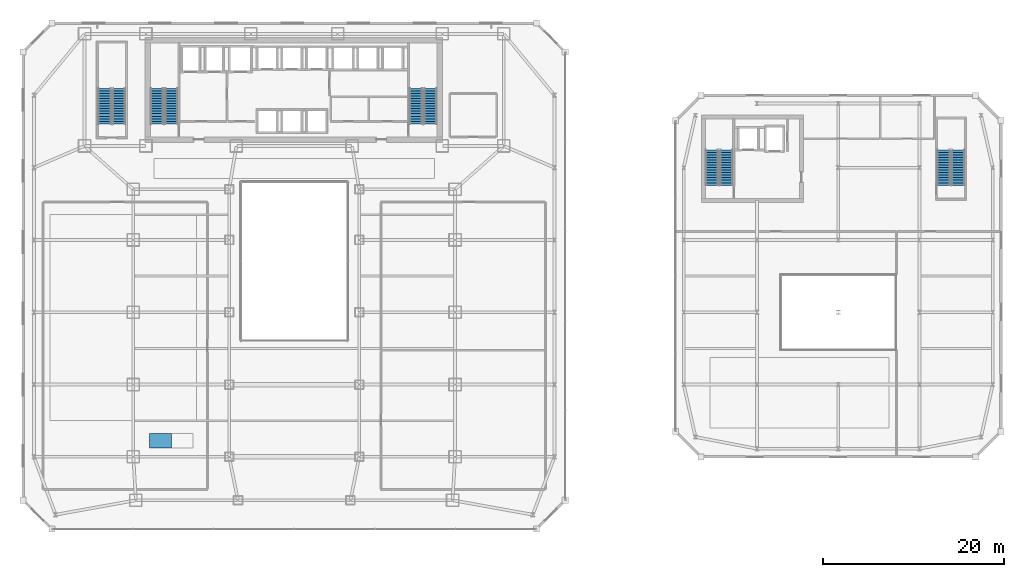
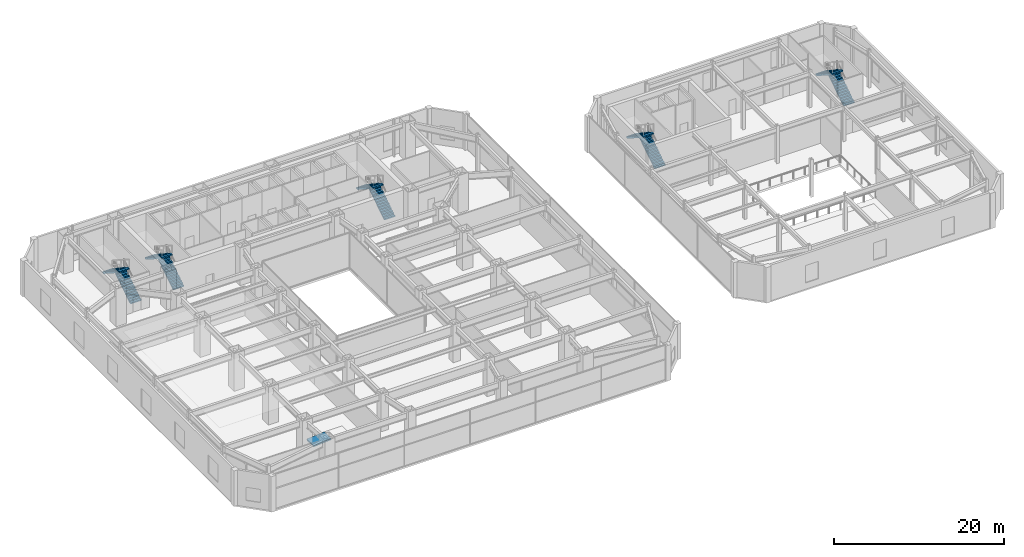
# One storey, part 44 of 52: 10 stair flights, 1 ramp flight, 6 elements without a shape of their own.
"""IFC4 building model written with IfcOpenShell, lengths in metres."""

from ifc_helpers import new_model, si_unit, direction, frame, origin, place, context, subcontext, project, spatial, polyline, outline, extrude, material, layer, layer_set, type_object, element, aggregate, save


model = new_model("IFC4")

# Units and contexts
model_context = context("Model", 3, precision=1e-05, world=origin(), true_north=direction((0.0, 1.0)))
body_context = subcontext(model_context, "Body", "Model", "MODEL_VIEW")
ifc_project = project(units=[si_unit("LENGTHUNIT", "METRE"), si_unit("AREAUNIT", "SQUARE_METRE"), si_unit("VOLUMEUNIT", "CUBIC_METRE"), si_unit("PLANEANGLEUNIT", "RADIAN"), si_unit("MASSUNIT", "GRAM", prefix="KILO")], contexts=[model_context])

# Site, building, storey
site_placement = place(None, origin())
site = spatial("IfcSite", under=ifc_project, at=site_placement, CompositionType="ELEMENT")
building_placement = place(site_placement, origin())
building = spatial("IfcBuilding", under=site, at=building_placement, Name="Saevonmaru Cultural Tower", CompositionType="ELEMENT")
storey_placement = place(building_placement, frame((0.0, 0.0, 11.39990234375)))
storey = spatial("IfcBuildingStorey", under=building, at=storey_placement, Name="L02", CompositionType="ELEMENT", Elevation=11.39990234375)

# Stair, stair flights
ifc_material_1 = material(Name="Concrete C40/50", Category="concrete")
stair_type = type_object("IfcStairType", Name="STR-DOGLEG-RC", PredefinedType="HALF_TURN_STAIR", material=ifc_material_1)
stair_1_placement = place(storey_placement, origin())
stair_1 = element("IfcStair", 1, at=stair_1_placement, inside=storey, type_object=stair_type, Name="L02 Protected exit stair LST-1", PredefinedType="HALF_TURN_STAIR")
ifc_material_2 = material(Name="Precast concrete C40/50", Category="concrete")
stair_flight_type = type_object("IfcStairFlightType", Name="STF-PRECAST-180", PredefinedType="STRAIGHT", material=ifc_material_2)
stair_flight_1_placement = place(storey_placement, frame((77.824951171875, 38.050048828125, 0.0), z_axis=(0.0, 0.0, 1.0), x_axis=(0.0, 1.0, 0.0)))
stair_flight_1 = element("IfcStairFlight", 2, at=stair_flight_1_placement, type_object=stair_flight_type, Name="LST-1-L02 flight 1", NumberOfRisers=15, NumberOfTreads=14, PredefinedType="STRAIGHT", RiserHeight=0.18, TreadLength=0.28, context=body_context, shape_type="SweptSolid", body=[
    extrude(outline(polyline([(0.0, 0.0), (0.0, 0.179931640625), (0.280029296875, 0.179931640625), (0.280029296875, 0.360107421875), (0.56005859375, 0.360107421875), (0.56005859375, 0.5400390625), (0.840087890625, 0.5400390625), (0.840087890625, 0.719970703125), (1.1201171875, 0.719970703125), (1.1201171875, 0.89990234375), (1.39990234375, 0.89990234375), (1.39990234375, 1.080078125), (1.679931640625, 1.080078125), (1.679931640625, 1.260009765625), (1.9599609375, 1.260009765625), (1.9599609375, 1.43994140625), (2.239990234375, 1.43994140625), (2.239990234375, 1.6201171875), (2.52001953125, 1.6201171875), (2.52001953125, 1.800048828125), (2.800048828125, 1.800048828125), (2.800048828125, 1.97998046875), (3.080078125, 1.97998046875), (3.080078125, 2.159912109375), (3.360107421875, 2.159912109375), (3.360107421875, 2.340087890625), (3.639892578125, 2.340087890625), (3.639892578125, 2.52001953125), (3.919921875, 2.52001953125), (3.919921875, 2.699951171875), (3.919921875, 2.341796875), (0.277099609375, 0.0), (0.0, 0.0)])), frame((0.0, 0.72509765625, 0.0), z_axis=(0.0, -1.0, 0.0), x_axis=(1.0, 0.0, 0.0)), (0.0, 0.0, 1.0), 1.449951171875),
])
stair_flight_2_placement = place(storey_placement, frame((76.22509765625, 41.969970703125, 2.7001953125), z_axis=(0.0, 0.0, 1.0), x_axis=(0.0, -1.0, 0.0)))
stair_flight_2 = element("IfcStairFlight", 3, at=stair_flight_2_placement, type_object=stair_flight_type, Name="LST-1-L02 flight 2", NumberOfRisers=15, NumberOfTreads=14, PredefinedType="STRAIGHT", RiserHeight=0.18, TreadLength=0.28, context=body_context, shape_type="SweptSolid", body=[
    extrude(outline(polyline([(0.0, 0.0), (0.0, 0.179931640625), (0.280029296875, 0.179931640625), (0.280029296875, 0.360107421875), (0.56005859375, 0.360107421875), (0.56005859375, 0.5400390625), (0.840087890625, 0.5400390625), (0.840087890625, 0.719970703125), (1.1201171875, 0.719970703125), (1.1201171875, 0.89990234375), (1.39990234375, 0.89990234375), (1.39990234375, 1.080078125), (1.679931640625, 1.080078125), (1.679931640625, 1.260009765625), (1.9599609375, 1.260009765625), (1.9599609375, 1.43994140625), (2.239990234375, 1.43994140625), (2.239990234375, 1.6201171875), (2.52001953125, 1.6201171875), (2.52001953125, 1.800048828125), (2.800048828125, 1.800048828125), (2.800048828125, 1.97998046875), (3.080078125, 1.97998046875), (3.080078125, 2.159912109375), (3.360107421875, 2.159912109375), (3.360107421875, 2.340087890625), (3.639892578125, 2.340087890625), (3.639892578125, 2.52001953125), (3.919921875, 2.52001953125), (3.919921875, 2.699951171875), (3.919921875, 2.341796875), (0.277099609375, 0.0), (0.0, 0.0)])), frame((0.0, 0.72509765625, 0.0), z_axis=(0.0, -1.0, 0.0), x_axis=(1.0, 0.0, 0.0)), (0.0, 0.0, 1.0), 1.449951171875),
])
aggregate(stair_1, [stair_flight_1, stair_flight_2])

stair_2_placement = place(storey_placement, origin())
stair_2 = element("IfcStair", 4, at=stair_2_placement, inside=storey, type_object=stair_type, Name="L02 Protected exit stair LST-2", PredefinedType="HALF_TURN_STAIR")
stair_flight_3_placement = place(storey_placement, frame((103.47509765625, 38.050048828125, 0.0), z_axis=(0.0, 0.0, 1.0), x_axis=(0.0, 1.0, 0.0)))
stair_flight_3 = element("IfcStairFlight", 5, at=stair_flight_3_placement, type_object=stair_flight_type, Name="LST-2-L02 flight 1", NumberOfRisers=15, NumberOfTreads=14, PredefinedType="STRAIGHT", RiserHeight=0.18, TreadLength=0.28, context=body_context, shape_type="SweptSolid", body=[
    extrude(outline(polyline([(0.0, 0.0), (0.0, 0.179931640625), (0.280029296875, 0.179931640625), (0.280029296875, 0.360107421875), (0.56005859375, 0.360107421875), (0.56005859375, 0.5400390625), (0.840087890625, 0.5400390625), (0.840087890625, 0.719970703125), (1.1201171875, 0.719970703125), (1.1201171875, 0.89990234375), (1.39990234375, 0.89990234375), (1.39990234375, 1.080078125), (1.679931640625, 1.080078125), (1.679931640625, 1.260009765625), (1.9599609375, 1.260009765625), (1.9599609375, 1.43994140625), (2.239990234375, 1.43994140625), (2.239990234375, 1.6201171875), (2.52001953125, 1.6201171875), (2.52001953125, 1.800048828125), (2.800048828125, 1.800048828125), (2.800048828125, 1.97998046875), (3.080078125, 1.97998046875), (3.080078125, 2.159912109375), (3.360107421875, 2.159912109375), (3.360107421875, 2.340087890625), (3.639892578125, 2.340087890625), (3.639892578125, 2.52001953125), (3.919921875, 2.52001953125), (3.919921875, 2.699951171875), (3.919921875, 2.341796875), (0.277099609375, 0.0), (0.0, 0.0)])), frame((0.0, 0.72509765625, 0.0), z_axis=(0.0, -1.0, 0.0), x_axis=(1.0, 0.0, 0.0)), (0.0, 0.0, 1.0), 1.449951171875),
])
stair_flight_4_placement = place(storey_placement, frame((101.875, 41.969970703125, 2.7001953125), z_axis=(0.0, 0.0, 1.0), x_axis=(0.0, -1.0, 0.0)))
stair_flight_4 = element("IfcStairFlight", 6, at=stair_flight_4_placement, type_object=stair_flight_type, Name="LST-2-L02 flight 2", NumberOfRisers=15, NumberOfTreads=14, PredefinedType="STRAIGHT", RiserHeight=0.18, TreadLength=0.28, context=body_context, shape_type="SweptSolid", body=[
    extrude(outline(polyline([(0.0, 0.0), (0.0, 0.179931640625), (0.280029296875, 0.179931640625), (0.280029296875, 0.360107421875), (0.56005859375, 0.360107421875), (0.56005859375, 0.5400390625), (0.840087890625, 0.5400390625), (0.840087890625, 0.719970703125), (1.1201171875, 0.719970703125), (1.1201171875, 0.89990234375), (1.39990234375, 0.89990234375), (1.39990234375, 1.080078125), (1.679931640625, 1.080078125), (1.679931640625, 1.260009765625), (1.9599609375, 1.260009765625), (1.9599609375, 1.43994140625), (2.239990234375, 1.43994140625), (2.239990234375, 1.6201171875), (2.52001953125, 1.6201171875), (2.52001953125, 1.800048828125), (2.800048828125, 1.800048828125), (2.800048828125, 1.97998046875), (3.080078125, 1.97998046875), (3.080078125, 2.159912109375), (3.360107421875, 2.159912109375), (3.360107421875, 2.340087890625), (3.639892578125, 2.340087890625), (3.639892578125, 2.52001953125), (3.919921875, 2.52001953125), (3.919921875, 2.699951171875), (3.919921875, 2.341796875), (0.277099609375, 0.0), (0.0, 0.0)])), frame((0.0, 0.72509765625, 0.0), z_axis=(0.0, -1.0, 0.0), x_axis=(1.0, 0.0, 0.0)), (0.0, 0.0, 1.0), 1.449951171875),
])
aggregate(stair_2, [stair_flight_3, stair_flight_4])

stair_3_placement = place(storey_placement, origin())
stair_3 = element("IfcStair", 7, at=stair_3_placement, inside=storey, type_object=stair_type, Name="L02 Protected exit stair ST-1", PredefinedType="HALF_TURN_STAIR")
stair_flight_5_placement = place(storey_placement, frame((16.425048828125, 44.85009765625, 0.0), z_axis=(0.0, 0.0, 1.0), x_axis=(0.0, 1.0, 0.0)))
stair_flight_5 = element("IfcStairFlight", 8, at=stair_flight_5_placement, type_object=stair_flight_type, Name="ST-1-L02 flight 1", NumberOfRisers=15, NumberOfTreads=14, PredefinedType="STRAIGHT", RiserHeight=0.18, TreadLength=0.28, context=body_context, shape_type="SweptSolid", body=[
    extrude(outline(polyline([(0.0, 0.0), (0.0, 0.179931640625), (0.280029296875, 0.179931640625), (0.280029296875, 0.360107421875), (0.56005859375, 0.360107421875), (0.56005859375, 0.5400390625), (0.840087890625, 0.5400390625), (0.840087890625, 0.719970703125), (1.1201171875, 0.719970703125), (1.1201171875, 0.89990234375), (1.39990234375, 0.89990234375), (1.39990234375, 1.080078125), (1.679931640625, 1.080078125), (1.679931640625, 1.260009765625), (1.9599609375, 1.260009765625), (1.9599609375, 1.43994140625), (2.239990234375, 1.43994140625), (2.239990234375, 1.6201171875), (2.52001953125, 1.6201171875), (2.52001953125, 1.800048828125), (2.800048828125, 1.800048828125), (2.800048828125, 1.97998046875), (3.080078125, 1.97998046875), (3.080078125, 2.159912109375), (3.360107421875, 2.159912109375), (3.360107421875, 2.340087890625), (3.639892578125, 2.340087890625), (3.639892578125, 2.52001953125), (3.919921875, 2.52001953125), (3.919921875, 2.699951171875), (3.919921875, 2.341796875), (0.277099609375, 0.0), (0.0, 0.0)])), frame((0.0, 0.72509765625, 0.0), z_axis=(0.0, -1.0, 0.0), x_axis=(1.0, 0.0, 0.0)), (0.0, 0.0, 1.0), 1.449951171875),
])
stair_flight_6_placement = place(storey_placement, frame((14.824951171875, 48.77001953125, 2.7001953125), z_axis=(0.0, 0.0, 1.0), x_axis=(0.0, -1.0, 0.0)))
stair_flight_6 = element("IfcStairFlight", 9, at=stair_flight_6_placement, type_object=stair_flight_type, Name="ST-1-L02 flight 2", NumberOfRisers=15, NumberOfTreads=14, PredefinedType="STRAIGHT", RiserHeight=0.18, TreadLength=0.28, context=body_context, shape_type="SweptSolid", body=[
    extrude(outline(polyline([(0.0, 0.0), (0.0, 0.179931640625), (0.280029296875, 0.179931640625), (0.280029296875, 0.360107421875), (0.56005859375, 0.360107421875), (0.56005859375, 0.5400390625), (0.840087890625, 0.5400390625), (0.840087890625, 0.719970703125), (1.1201171875, 0.719970703125), (1.1201171875, 0.89990234375), (1.39990234375, 0.89990234375), (1.39990234375, 1.080078125), (1.679931640625, 1.080078125), (1.679931640625, 1.260009765625), (1.9599609375, 1.260009765625), (1.9599609375, 1.43994140625), (2.239990234375, 1.43994140625), (2.239990234375, 1.6201171875), (2.52001953125, 1.6201171875), (2.52001953125, 1.800048828125), (2.800048828125, 1.800048828125), (2.800048828125, 1.97998046875), (3.080078125, 1.97998046875), (3.080078125, 2.159912109375), (3.360107421875, 2.159912109375), (3.360107421875, 2.340087890625), (3.639892578125, 2.340087890625), (3.639892578125, 2.52001953125), (3.919921875, 2.52001953125), (3.919921875, 2.699951171875), (3.919921875, 2.341796875), (0.277099609375, 0.0), (0.0, 0.0)])), frame((0.0, 0.72509765625, 0.0), z_axis=(0.0, -1.0, 0.0), x_axis=(1.0, 0.0, 0.0)), (0.0, 0.0, 1.0), 1.449951171875),
])
aggregate(stair_3, [stair_flight_5, stair_flight_6])

stair_4_placement = place(storey_placement, origin())
stair_4 = element("IfcStair", 10, at=stair_4_placement, inside=storey, type_object=stair_type, Name="L02 Protected exit stair ST-2", PredefinedType="HALF_TURN_STAIR")
stair_flight_7_placement = place(storey_placement, frame((45.074951171875, 44.85009765625, 0.0), z_axis=(0.0, 0.0, 1.0), x_axis=(0.0, 1.0, 0.0)))
stair_flight_7 = element("IfcStairFlight", 11, at=stair_flight_7_placement, type_object=stair_flight_type, Name="ST-2-L02 flight 1", NumberOfRisers=15, NumberOfTreads=14, PredefinedType="STRAIGHT", RiserHeight=0.18, TreadLength=0.28, context=body_context, shape_type="SweptSolid", body=[
    extrude(outline(polyline([(0.0, 0.0), (0.0, 0.179931640625), (0.280029296875, 0.179931640625), (0.280029296875, 0.360107421875), (0.56005859375, 0.360107421875), (0.56005859375, 0.5400390625), (0.840087890625, 0.5400390625), (0.840087890625, 0.719970703125), (1.1201171875, 0.719970703125), (1.1201171875, 0.89990234375), (1.39990234375, 0.89990234375), (1.39990234375, 1.080078125), (1.679931640625, 1.080078125), (1.679931640625, 1.260009765625), (1.9599609375, 1.260009765625), (1.9599609375, 1.43994140625), (2.239990234375, 1.43994140625), (2.239990234375, 1.6201171875), (2.52001953125, 1.6201171875), (2.52001953125, 1.800048828125), (2.800048828125, 1.800048828125), (2.800048828125, 1.97998046875), (3.080078125, 1.97998046875), (3.080078125, 2.159912109375), (3.360107421875, 2.159912109375), (3.360107421875, 2.340087890625), (3.639892578125, 2.340087890625), (3.639892578125, 2.52001953125), (3.919921875, 2.52001953125), (3.919921875, 2.699951171875), (3.919921875, 2.341796875), (0.277099609375, 0.0), (0.0, 0.0)])), frame((0.0, 0.72509765625, 0.0), z_axis=(0.0, -1.0, 0.0), x_axis=(1.0, 0.0, 0.0)), (0.0, 0.0, 1.0), 1.449951171875),
])
stair_flight_8_placement = place(storey_placement, frame((43.47509765625, 48.77001953125, 2.7001953125), z_axis=(0.0, 0.0, 1.0), x_axis=(0.0, -1.0, 0.0)))
stair_flight_8 = element("IfcStairFlight", 12, at=stair_flight_8_placement, type_object=stair_flight_type, Name="ST-2-L02 flight 2", NumberOfRisers=15, NumberOfTreads=14, PredefinedType="STRAIGHT", RiserHeight=0.18, TreadLength=0.28, context=body_context, shape_type="SweptSolid", body=[
    extrude(outline(polyline([(0.0, 0.0), (0.0, 0.179931640625), (0.280029296875, 0.179931640625), (0.280029296875, 0.360107421875), (0.56005859375, 0.360107421875), (0.56005859375, 0.5400390625), (0.840087890625, 0.5400390625), (0.840087890625, 0.719970703125), (1.1201171875, 0.719970703125), (1.1201171875, 0.89990234375), (1.39990234375, 0.89990234375), (1.39990234375, 1.080078125), (1.679931640625, 1.080078125), (1.679931640625, 1.260009765625), (1.9599609375, 1.260009765625), (1.9599609375, 1.43994140625), (2.239990234375, 1.43994140625), (2.239990234375, 1.6201171875), (2.52001953125, 1.6201171875), (2.52001953125, 1.800048828125), (2.800048828125, 1.800048828125), (2.800048828125, 1.97998046875), (3.080078125, 1.97998046875), (3.080078125, 2.159912109375), (3.360107421875, 2.159912109375), (3.360107421875, 2.340087890625), (3.639892578125, 2.340087890625), (3.639892578125, 2.52001953125), (3.919921875, 2.52001953125), (3.919921875, 2.699951171875), (3.919921875, 2.341796875), (0.277099609375, 0.0), (0.0, 0.0)])), frame((0.0, 0.72509765625, 0.0), z_axis=(0.0, -1.0, 0.0), x_axis=(1.0, 0.0, 0.0)), (0.0, 0.0, 1.0), 1.449951171875),
])
aggregate(stair_4, [stair_flight_7, stair_flight_8])

stair_5_placement = place(storey_placement, origin())
stair_5 = element("IfcStair", 13, at=stair_5_placement, inside=storey, type_object=stair_type, Name="L02 Protected exit stair ST-3", PredefinedType="HALF_TURN_STAIR")
stair_flight_9_placement = place(storey_placement, frame((10.625, 44.85009765625, 0.0), z_axis=(0.0, 0.0, 1.0), x_axis=(0.0, 1.0, 0.0)))
stair_flight_9 = element("IfcStairFlight", 14, at=stair_flight_9_placement, type_object=stair_flight_type, Name="ST-3-L02 flight 1", NumberOfRisers=15, NumberOfTreads=14, PredefinedType="STRAIGHT", RiserHeight=0.18, TreadLength=0.28, context=body_context, shape_type="SweptSolid", body=[
    extrude(outline(polyline([(0.0, 0.0), (0.0, 0.179931640625), (0.280029296875, 0.179931640625), (0.280029296875, 0.360107421875), (0.56005859375, 0.360107421875), (0.56005859375, 0.5400390625), (0.840087890625, 0.5400390625), (0.840087890625, 0.719970703125), (1.1201171875, 0.719970703125), (1.1201171875, 0.89990234375), (1.39990234375, 0.89990234375), (1.39990234375, 1.080078125), (1.679931640625, 1.080078125), (1.679931640625, 1.260009765625), (1.9599609375, 1.260009765625), (1.9599609375, 1.43994140625), (2.239990234375, 1.43994140625), (2.239990234375, 1.6201171875), (2.52001953125, 1.6201171875), (2.52001953125, 1.800048828125), (2.800048828125, 1.800048828125), (2.800048828125, 1.97998046875), (3.080078125, 1.97998046875), (3.080078125, 2.159912109375), (3.360107421875, 2.159912109375), (3.360107421875, 2.340087890625), (3.639892578125, 2.340087890625), (3.639892578125, 2.52001953125), (3.919921875, 2.52001953125), (3.919921875, 2.699951171875), (3.919921875, 2.341796875), (0.277099609375, 0.0), (0.0, 0.0)])), frame((0.0, 0.72509765625, 0.0), z_axis=(0.0, -1.0, 0.0), x_axis=(1.0, 0.0, 0.0)), (0.0, 0.0, 1.0), 1.449951171875),
])
stair_flight_10_placement = place(storey_placement, frame((9.02490234375, 48.77001953125, 2.7001953125), z_axis=(0.0, 0.0, 1.0), x_axis=(0.0, -1.0, 0.0)))
stair_flight_10 = element("IfcStairFlight", 15, at=stair_flight_10_placement, type_object=stair_flight_type, Name="ST-3-L02 flight 2", NumberOfRisers=15, NumberOfTreads=14, PredefinedType="STRAIGHT", RiserHeight=0.18, TreadLength=0.28, context=body_context, shape_type="SweptSolid", body=[
    extrude(outline(polyline([(0.0, 0.0), (0.0, 0.179931640625), (0.280029296875, 0.179931640625), (0.280029296875, 0.360107421875), (0.56005859375, 0.360107421875), (0.56005859375, 0.5400390625), (0.840087890625, 0.5400390625), (0.840087890625, 0.719970703125), (1.1201171875, 0.719970703125), (1.1201171875, 0.89990234375), (1.39990234375, 0.89990234375), (1.39990234375, 1.080078125), (1.679931640625, 1.080078125), (1.679931640625, 1.260009765625), (1.9599609375, 1.260009765625), (1.9599609375, 1.43994140625), (2.239990234375, 1.43994140625), (2.239990234375, 1.6201171875), (2.52001953125, 1.6201171875), (2.52001953125, 1.800048828125), (2.800048828125, 1.800048828125), (2.800048828125, 1.97998046875), (3.080078125, 1.97998046875), (3.080078125, 2.159912109375), (3.360107421875, 2.159912109375), (3.360107421875, 2.340087890625), (3.639892578125, 2.340087890625), (3.639892578125, 2.52001953125), (3.919921875, 2.52001953125), (3.919921875, 2.699951171875), (3.919921875, 2.341796875), (0.277099609375, 0.0), (0.0, 0.0)])), frame((0.0, 0.72509765625, 0.0), z_axis=(0.0, -1.0, 0.0), x_axis=(1.0, 0.0, 0.0)), (0.0, 0.0, 1.0), 1.449951171875),
])
aggregate(stair_5, [stair_flight_9, stair_flight_10])

# Ramp, ramp flight
ramp_type = type_object("IfcRampType", Name="RMP-PED-1600", PredefinedType="STRAIGHT_RUN_RAMP", material=ifc_material_1)
ramp_placement = place(storey_placement, origin())
ramp = element("IfcRamp", 16, at=ramp_placement, inside=storey, type_object=ramp_type, Name="L02 Barrier-Free Gallery Dais Ramp PR-2", PredefinedType="STRAIGHT_RUN_RAMP")
ifc_layer = layer(ifc_material_1, 0.199951171875, Name="Concrete C40/50")
ifc_layer_set = layer_set([ifc_layer], Name="Concrete C40/50")
ramp_flight_type = type_object("IfcRampFlightType", Name="RFL-PED-200", PredefinedType="STRAIGHT", material=ifc_layer_set)
ramp_flight_placement = place(storey_placement, frame((14.0, 9.0, 0.0), z_axis=(-0.083129378007, 0.0, 0.996538763176), x_axis=(0.996538763176, 0.0, 0.083129378007)))
ramp_flight = element("IfcRampFlight", 17, at=ramp_flight_placement, type_object=ramp_flight_type, Name="L02 Barrier-Free Gallery Dais Ramp Flight PR-2", PredefinedType="STRAIGHT", context=body_context, shape_type="SweptSolid", body=[
    extrude(outline(polyline([(0.0, 0.0), (2.4082378251916308, 0.0), (2.4082378251916308, 1.60009765625), (0.0, 1.60009765625), (0.0, 0.0)])), origin(), (0.0, 0.0, -1.0), 0.199951171875),
])
aggregate(ramp, [ramp_flight])

save(model, "model.ifc")
